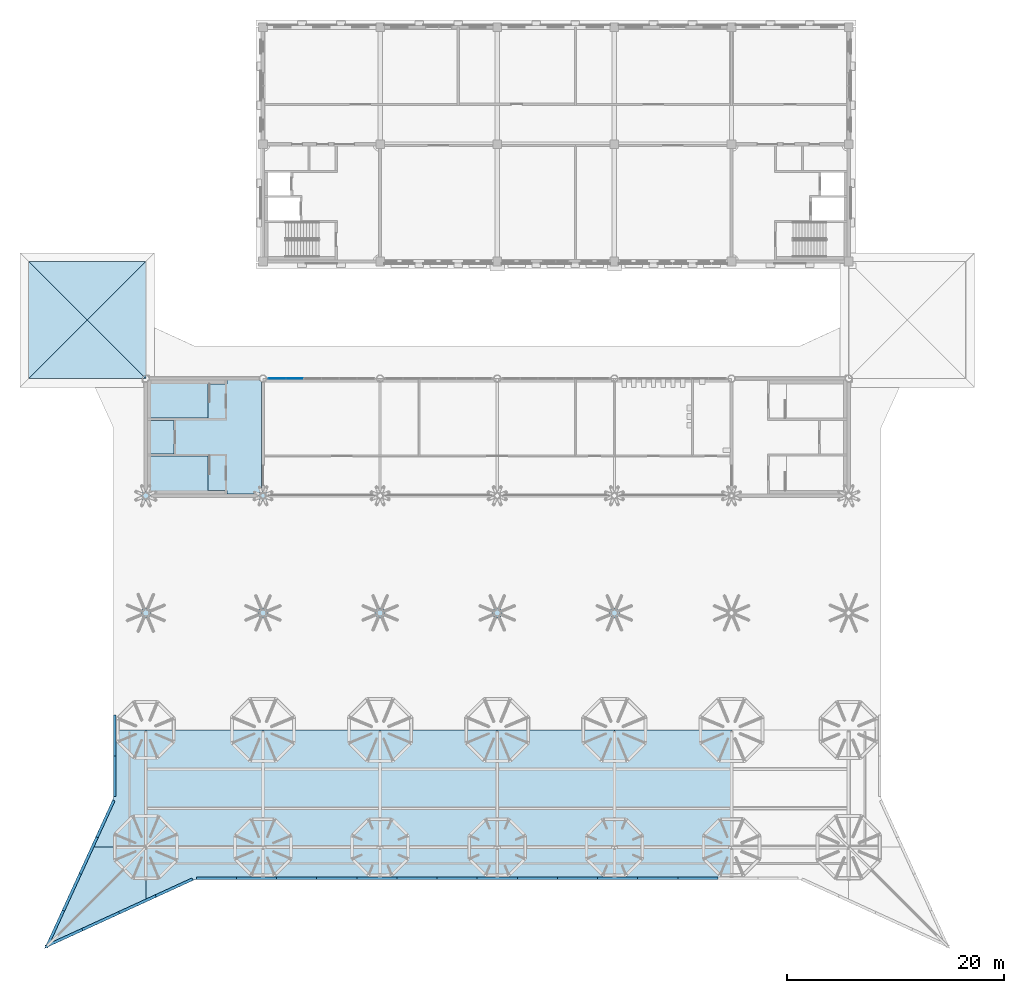
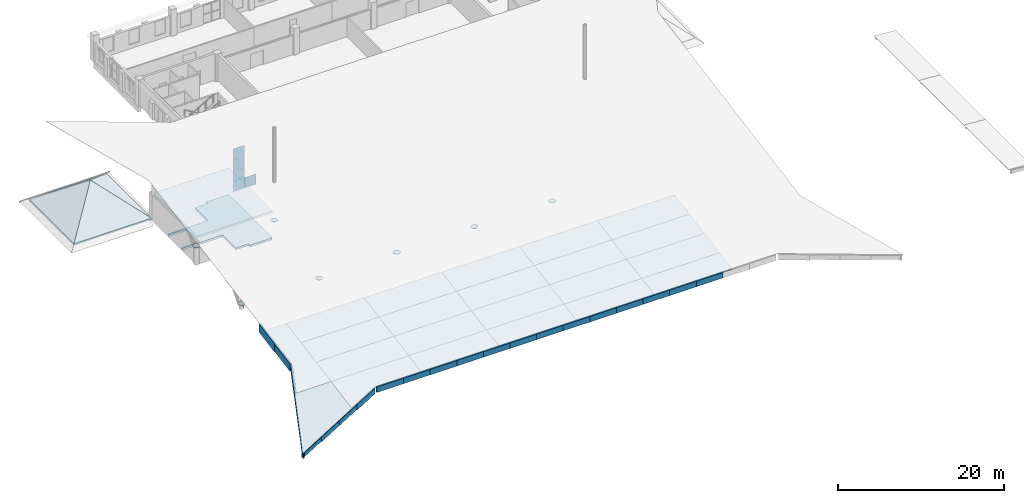
# One storey, part 29 of 56: 35 plates, 28 slabs, 1 element without a shape of its own.
"""IFC4 building model written with IfcOpenShell, lengths in metres."""

from ifc_helpers import new_model, si_unit, direction, frame, origin, origin_2d, place, context, subcontext, project, spatial, polyline, rectangle, circle, outline, extrude, material, layer, layer_set, material_profile, profile_set, type_object, element, aggregate, save


model = new_model("IFC4")

# Units and contexts
model_context = context("Model", 3, precision=1e-05, world=origin(), true_north=direction((0.0, 1.0)))
body_context = subcontext(model_context, "Body", "Model", "MODEL_VIEW")
ifc_project = project(units=[si_unit("LENGTHUNIT", "METRE"), si_unit("AREAUNIT", "SQUARE_METRE"), si_unit("VOLUMEUNIT", "CUBIC_METRE"), si_unit("PLANEANGLEUNIT", "RADIAN"), si_unit("MASSUNIT", "GRAM", prefix="KILO")], contexts=[model_context])

# Site, building, storey
site_placement = place(None, origin())
site = spatial("IfcSite", under=ifc_project, at=site_placement, CompositionType="ELEMENT")
building_placement = place(site_placement, origin())
building = spatial("IfcBuilding", under=site, at=building_placement, Name="Magnolia Steps Interchange", CompositionType="ELEMENT")
storey_placement = place(building_placement, frame((0.0, 0.0, 8.699951171875)))
storey = spatial("IfcBuildingStorey", under=building, at=storey_placement, Name="L02", CompositionType="ELEMENT", Elevation=8.699951171875)

# Slabs
ifc_material_1 = material(Name="Concrete C30", Category="concrete")
ifc_layer_1 = layer(ifc_material_1, 0.10009765625)
ifc_layer_set_1 = layer_set([ifc_layer_1], Name="Composite roof deck 100")
slab_type_1 = type_object("IfcSlabType", Name="Composite roof deck 100", PredefinedType="ROOF", material=ifc_layer_set_1)
slab_1_placement = place(storey_placement, frame((53.199951171875, 37.339599609375, 1.423095703125), z_axis=(4.539669e-06, -0.179958437245, 0.983674214791), x_axis=(-2e-11, 0.983674214801, 0.179958437247)))
element("IfcSlab", 1, at=slab_1_placement, inside=storey, type_object=slab_type_1, Name="Composite roof deck panel", PredefinedType="ROOF", context=body_context, shape_type="SweptSolid", body=[
    extrude(outline(polyline([(0.0, 0.0), (5.144291466, 0.0), (5.144291466, 5.060302734), (-4.344350677, 9.333740235), (0.0, 0.0)])), origin(), (-0.179958437247, -4.465551e-06, -0.983674214791), 0.1015625),
])
slab_2_placement = place(storey_placement, frame((48.1396484375, 42.39990234375, 2.348876953125), z_axis=(1.220577e-05, -0.179940355729, 0.983677522479), x_axis=(0.999999999926, 2.196311e-06, -1.2006541e-05)))
element("IfcSlab", 2, at=slab_2_placement, inside=storey, type_object=slab_type_1, Name="Composite roof deck panel", PredefinedType="ROOF", context=body_context, shape_type="SweptSolid", body=[
    extrude(outline(polyline([(0.0, 0.0), (5.060302734, 0.0), (5.060302734, 10.979252911), (2.060302735, 10.979252911), (2.060302733, 4.574683344), (0.0, 0.0)])), origin(), (1.2006541e-05, -0.179940355743, -0.983677522479), 0.1015625),
])
slab_3_placement = place(storey_placement, frame((64.0, 39.39990234375, 1.800048828125), z_axis=(-1.424793e-06, -0.179958171072, 0.983674263495), x_axis=(-3e-12, 0.983674263496, 0.179958171072)))
element("IfcSlab", 3, at=slab_3_placement, inside=storey, type_object=slab_type_1, Name="Composite roof deck panel", PredefinedType="ROOF", context=body_context, shape_type="SweptSolid", body=[
    extrude(outline(polyline([(0.0, 0.0), (3.049788896, 0.0), (3.049788896, 10.800048828), (-2.09450257, 10.800048828), (0.0, 6.300048828), (0.0, 0.0)])), origin(), (-0.179958171072, 1.401533e-06, -0.983674263495), 0.1015625),
])
slab_4_placement = place(storey_placement, frame((64.0, 42.39990234375, 2.348876953125), z_axis=(0.0, -0.179912650592, 0.983682590146), x_axis=(0.0, 0.983682590146, 0.179912650592)))
element("IfcSlab", 4, at=slab_4_placement, inside=storey, type_object=slab_type_1, Name="Composite roof deck panel", PredefinedType="ROOF", context=body_context, shape_type="SweptSolid", body=[
    extrude(outline(polyline([(0.0, 0.0), (3.65981638, 0.0), (3.65981638, 10.800048828), (0.0, 10.800048828), (0.0, 0.0)])), origin(), (-0.179912650592, 0.0, -0.983682590146), 0.1015625),
])
slab_5_placement = place(storey_placement, frame((64.0, 46.0, 3.00732421875), z_axis=(0.0, -0.179977198609, 0.983670782315), x_axis=(0.0, 0.983670782315, 0.179977198609)))
element("IfcSlab", 5, at=slab_5_placement, inside=storey, type_object=slab_type_1, Name="Composite roof deck panel", PredefinedType="ROOF", context=body_context, shape_type="SweptSolid", body=[
    extrude(outline(polyline([(0.0, 0.0), (3.659860312, 0.0), (3.659860312, 10.800048828), (0.0, 10.800048828), (0.0, 0.0)])), origin(), (-0.179977198609, 0.0, -0.983670782315), 0.1015625),
])
slab_6_placement = place(storey_placement, frame((64.0, 49.60009765625, 3.666015625), z_axis=(0.0, -0.179924457208, 0.983680430678), x_axis=(0.0, 0.983680430678, 0.179924457208)))
element("IfcSlab", 6, at=slab_6_placement, inside=storey, type_object=slab_type_1, Name="Composite roof deck panel", PredefinedType="ROOF", context=body_context, shape_type="SweptSolid", body=[
    extrude(outline(polyline([(0.0, 0.0), (3.659576223, 0.0), (3.659576223, 10.800048828), (0.0, 10.800048828), (0.0, 0.0)])), origin(), (-0.179924457208, 0.0, -0.983680430678), 0.1015625),
])
slab_7_placement = place(storey_placement, frame((74.800048828125, 39.39990234375, 1.800048828125), z_axis=(0.0, -0.179956103093, 0.98367464182), x_axis=(0.0, 0.98367464182, 0.179956103093)))
element("IfcSlab", 7, at=slab_7_placement, inside=storey, type_object=slab_type_1, Name="Composite roof deck panel", PredefinedType="ROOF", context=body_context, shape_type="SweptSolid", body=[
    extrude(outline(polyline([(0.0, 0.0), (3.049788896, 0.0), (3.049788896, 10.800048828), (0.0, 10.800048828), (0.0, 0.0)])), origin(), (-0.179956103093, 0.0, -0.98367464182), 0.1015625),
])
slab_8_placement = place(storey_placement, frame((74.800048828125, 42.39990234375, 2.348876953125), z_axis=(0.0, -0.179912650592, 0.983682590146), x_axis=(0.0, 0.983682590146, 0.179912650592)))
element("IfcSlab", 8, at=slab_8_placement, inside=storey, type_object=slab_type_1, Name="Composite roof deck panel", PredefinedType="ROOF", context=body_context, shape_type="SweptSolid", body=[
    extrude(outline(polyline([(0.0, 0.0), (3.65981638, 0.0), (3.65981638, 10.800048828), (0.0, 10.800048828), (0.0, 0.0)])), origin(), (-0.179912650592, 0.0, -0.983682590146), 0.1015625),
])
slab_9_placement = place(storey_placement, frame((74.800048828125, 46.0, 3.00732421875), z_axis=(0.0, -0.179977198609, 0.983670782315), x_axis=(0.0, 0.983670782315, 0.179977198609)))
element("IfcSlab", 9, at=slab_9_placement, inside=storey, type_object=slab_type_1, Name="Composite roof deck panel", PredefinedType="ROOF", context=body_context, shape_type="SweptSolid", body=[
    extrude(outline(polyline([(0.0, 0.0), (3.659860312, 0.0), (3.659860312, 10.800048828), (0.0, 10.800048828), (0.0, 0.0)])), origin(), (-0.179977198609, 0.0, -0.983670782315), 0.1015625),
])
slab_10_placement = place(storey_placement, frame((74.800048828125, 49.60009765625, 3.666015625), z_axis=(0.0, -0.179924457208, 0.983680430678), x_axis=(0.0, 0.983680430678, 0.179924457208)))
element("IfcSlab", 10, at=slab_10_placement, inside=storey, type_object=slab_type_1, Name="Composite roof deck panel", PredefinedType="ROOF", context=body_context, shape_type="SweptSolid", body=[
    extrude(outline(polyline([(0.0, 0.0), (3.659576223, 0.0), (3.659576223, 10.800048828), (0.0, 10.800048828), (0.0, 0.0)])), origin(), (-0.179924457208, 0.0, -0.983680430678), 0.1015625),
])
slab_11_placement = place(storey_placement, frame((85.60009765625, 39.39990234375, 1.800048828125), z_axis=(0.0, -0.179956103093, 0.98367464182), x_axis=(0.0, 0.98367464182, 0.179956103093)))
element("IfcSlab", 11, at=slab_11_placement, inside=storey, type_object=slab_type_1, Name="Composite roof deck panel", PredefinedType="ROOF", context=body_context, shape_type="SweptSolid", body=[
    extrude(outline(polyline([(0.0, 0.0), (3.049788896, 0.0), (3.049788896, 10.800048828), (0.0, 10.800048828), (0.0, 0.0)])), origin(), (-0.179956103093, 0.0, -0.98367464182), 0.1015625),
])
slab_12_placement = place(storey_placement, frame((85.60009765625, 42.39990234375, 2.348876953125), z_axis=(0.0, -0.179912650592, 0.983682590146), x_axis=(0.0, 0.983682590146, 0.179912650592)))
element("IfcSlab", 12, at=slab_12_placement, inside=storey, type_object=slab_type_1, Name="Composite roof deck panel", PredefinedType="ROOF", context=body_context, shape_type="SweptSolid", body=[
    extrude(outline(polyline([(0.0, 0.0), (3.65981638, 0.0), (3.65981638, 10.800048828), (0.0, 10.800048828), (0.0, 0.0)])), origin(), (-0.179912650592, 0.0, -0.983682590146), 0.1015625),
])
slab_13_placement = place(storey_placement, frame((85.60009765625, 46.0, 3.00732421875), z_axis=(0.0, -0.179977198609, 0.983670782315), x_axis=(0.0, 0.983670782315, 0.179977198609)))
element("IfcSlab", 13, at=slab_13_placement, inside=storey, type_object=slab_type_1, Name="Composite roof deck panel", PredefinedType="ROOF", context=body_context, shape_type="SweptSolid", body=[
    extrude(outline(polyline([(0.0, 0.0), (3.659860312, 0.0), (3.659860312, 10.800048828), (0.0, 10.800048828), (0.0, 0.0)])), origin(), (-0.179977198609, 0.0, -0.983670782315), 0.1015625),
])
slab_14_placement = place(storey_placement, frame((85.60009765625, 49.60009765625, 3.666015625), z_axis=(0.0, -0.179924457208, 0.983680430678), x_axis=(0.0, 0.983680430678, 0.179924457208)))
element("IfcSlab", 14, at=slab_14_placement, inside=storey, type_object=slab_type_1, Name="Composite roof deck panel", PredefinedType="ROOF", context=body_context, shape_type="SweptSolid", body=[
    extrude(outline(polyline([(0.0, 0.0), (3.659576223, 0.0), (3.659576223, 10.800048828), (0.0, 10.800048828), (0.0, 0.0)])), origin(), (-0.179924457208, 0.0, -0.983680430678), 0.1015625),
])
slab_15_placement = place(storey_placement, frame((96.39990234375, 39.39990234375, 1.800048828125), z_axis=(0.0, -0.179956103093, 0.98367464182), x_axis=(0.0, 0.98367464182, 0.179956103093)))
element("IfcSlab", 15, at=slab_15_placement, inside=storey, type_object=slab_type_1, Name="Composite roof deck panel", PredefinedType="ROOF", context=body_context, shape_type="SweptSolid", body=[
    extrude(outline(polyline([(0.0, 0.0), (3.049788896, 0.0), (3.049788896, 10.799804688), (0.0, 10.799804688), (0.0, 0.0)])), origin(), (-0.179956103093, 0.0, -0.98367464182), 0.1015625),
])
slab_16_placement = place(storey_placement, frame((96.39990234375, 42.39990234375, 2.348876953125), z_axis=(0.0, -0.179912650592, 0.983682590146), x_axis=(0.0, 0.983682590146, 0.179912650592)))
element("IfcSlab", 16, at=slab_16_placement, inside=storey, type_object=slab_type_1, Name="Composite roof deck panel", PredefinedType="ROOF", context=body_context, shape_type="SweptSolid", body=[
    extrude(outline(polyline([(0.0, 0.0), (3.65981638, 0.0), (3.65981638, 10.799804688), (0.0, 10.799804688), (0.0, 0.0)])), origin(), (-0.179912650592, 0.0, -0.983682590146), 0.1015625),
])
slab_17_placement = place(storey_placement, frame((96.39990234375, 46.0, 3.00732421875), z_axis=(0.0, -0.179977198609, 0.983670782315), x_axis=(0.0, 0.983670782315, 0.179977198609)))
element("IfcSlab", 17, at=slab_17_placement, inside=storey, type_object=slab_type_1, Name="Composite roof deck panel", PredefinedType="ROOF", context=body_context, shape_type="SweptSolid", body=[
    extrude(outline(polyline([(0.0, 0.0), (3.659860312, 0.0), (3.659860312, 10.799804688), (0.0, 10.799804688), (0.0, 0.0)])), origin(), (-0.179977198609, 0.0, -0.983670782315), 0.1015625),
])
slab_18_placement = place(storey_placement, frame((96.39990234375, 49.60009765625, 3.666015625), z_axis=(0.0, -0.179924457208, 0.983680430678), x_axis=(0.0, 0.983680430678, 0.179924457208)))
element("IfcSlab", 18, at=slab_18_placement, inside=storey, type_object=slab_type_1, Name="Composite roof deck panel", PredefinedType="ROOF", context=body_context, shape_type="SweptSolid", body=[
    extrude(outline(polyline([(0.0, 0.0), (3.659576223, 0.0), (3.659576223, 10.799804688), (0.0, 10.799804688), (0.0, 0.0)])), origin(), (-0.179924457208, 0.0, -0.983680430678), 0.1015625),
])
slab_19_placement = place(storey_placement, frame((107.199951171875, 39.39990234375, 1.800048828125), z_axis=(0.0, -0.179956103093, 0.98367464182), x_axis=(0.0, 0.98367464182, 0.179956103093)))
element("IfcSlab", 19, at=slab_19_placement, inside=storey, type_object=slab_type_1, Name="Composite roof deck panel", PredefinedType="ROOF", context=body_context, shape_type="SweptSolid", body=[
    extrude(outline(polyline([(0.0, 0.0), (3.049788896, 0.0), (3.049788896, 10.800048828), (0.0, 10.800048828), (0.0, 0.0)])), origin(), (-0.179956103093, 0.0, -0.98367464182), 0.1015625),
])
slab_20_placement = place(storey_placement, frame((107.199951171875, 42.39990234375, 2.348876953125), z_axis=(0.0, -0.179912650592, 0.983682590146), x_axis=(0.0, 0.983682590146, 0.179912650592)))
element("IfcSlab", 20, at=slab_20_placement, inside=storey, type_object=slab_type_1, Name="Composite roof deck panel", PredefinedType="ROOF", context=body_context, shape_type="SweptSolid", body=[
    extrude(outline(polyline([(0.0, 0.0), (3.65981638, 0.0), (3.65981638, 10.800048828), (0.0, 10.800048828), (0.0, 0.0)])), origin(), (-0.179912650592, 0.0, -0.983682590146), 0.1015625),
])
slab_21_placement = place(storey_placement, frame((107.199951171875, 46.0, 3.00732421875), z_axis=(0.0, -0.179977198609, 0.983670782315), x_axis=(0.0, 0.983670782315, 0.179977198609)))
element("IfcSlab", 21, at=slab_21_placement, inside=storey, type_object=slab_type_1, Name="Composite roof deck panel", PredefinedType="ROOF", context=body_context, shape_type="SweptSolid", body=[
    extrude(outline(polyline([(0.0, 0.0), (3.659860312, 0.0), (3.659860312, 10.800048828), (0.0, 10.800048828), (0.0, 0.0)])), origin(), (-0.179977198609, 0.0, -0.983670782315), 0.1015625),
])
slab_22_placement = place(storey_placement, frame((107.199951171875, 49.60009765625, 3.666015625), z_axis=(0.0, -0.179924457208, 0.983680430678), x_axis=(0.0, 0.983680430678, 0.179924457208)))
element("IfcSlab", 22, at=slab_22_placement, inside=storey, type_object=slab_type_1, Name="Composite roof deck panel", PredefinedType="ROOF", context=body_context, shape_type="SweptSolid", body=[
    extrude(outline(polyline([(0.0, 0.0), (3.659576223, 0.0), (3.659576223, 10.800048828), (0.0, 10.800048828), (0.0, 0.0)])), origin(), (-0.179924457208, 0.0, -0.983680430678), 0.1015625),
])
ifc_material_2 = material(Name="Concrete C35", Category="concrete")
ifc_layer_2 = layer(ifc_material_2, 0.300048828125)
ifc_layer_set_2 = layer_set([ifc_layer_2], Name="Core floor slab 300")
slab_type_2 = type_object("IfcSlabType", Name="Core floor slab 300", PredefinedType="FLOOR", material=ifc_layer_set_2)
slab_23_placement = place(storey_placement, frame((0.0, 0.0, -0.300048828125)))
element("IfcSlab", 23, at=slab_23_placement, inside=storey, type_object=slab_type_2, Name="L02 core floor HC1", PredefinedType="FLOOR", context=body_context, shape_type="SweptSolid", body=[
    extrude(outline(polyline([(60.699951171875, 75.300048828125), (58.949951171875, 75.300048828125), (58.949951171875, 78.449951171875), (53.35009765625, 78.449951171875), (53.35009765625, 78.64990234375), (55.800048828125, 78.64990234375), (55.800048828125, 81.75), (53.35009765625, 81.75), (53.35009765625, 81.949951171875), (58.949951171875, 81.949951171875), (58.949951171875, 85.10009765625), (60.699951171875, 85.10009765625), (60.699951171875, 85.449951171875), (63.706298828125, 85.449951171875), (63.708984375, 85.4443359375), (63.7255859375, 85.416748046875), (63.744873046875, 85.390625), (63.7666015625, 85.36669921875), (63.790771484375, 85.344970703125), (63.816650390625, 85.32568359375), (63.844482421875, 85.30908203125), (63.85009765625, 85.306396484375), (63.85009765625, 75.065185546875), (63.83056640625, 75.0537109375), (63.806396484375, 75.035888671875), (63.784423828125, 75.015625), (63.76416015625, 74.993408203125), (63.746337890625, 74.969482421875), (63.73486328125, 74.949951171875), (60.699951171875, 74.949951171875), (60.699951171875, 75.300048828125)])), origin(), (0.0, 0.0, 1.0), 0.300048828125),
])
ifc_material_3 = material(Name="Concrete C35", Category="concrete")
ifc_layer_3 = layer(ifc_material_3, 0.300048828125)
ifc_layer_set_3 = layer_set([ifc_layer_3], Name="Core roof slab")
slab_type_3 = type_object("IfcSlabType", Name="Core roof slab", PredefinedType="ROOF", material=ifc_layer_set_3)
slab_24_placement = place(storey_placement, frame((0.0, 0.0, 3.60009765625)))
element("IfcSlab", 24, at=slab_24_placement, inside=storey, type_object=slab_type_3, Name="HC1 core roof", PredefinedType="ROOF", context=body_context, shape_type="SweptSolid", body=[
    extrude(outline(polyline([(53.35009765625, 74.949951171875), (53.35009765625, 85.306396484375), (53.35546875, 85.30908203125), (53.38330078125, 85.32568359375), (53.409423828125, 85.344970703125), (53.433349609375, 85.36669921875), (53.455078125, 85.390625), (53.474365234375, 85.416748046875), (53.490966796875, 85.4443359375), (53.49365234375, 85.449951171875), (63.706298828125, 85.449951171875), (63.708984375, 85.4443359375), (63.7255859375, 85.416748046875), (63.744873046875, 85.390625), (63.7666015625, 85.36669921875), (63.790771484375, 85.344970703125), (63.816650390625, 85.32568359375), (63.844482421875, 85.30908203125), (63.85009765625, 85.306396484375), (63.85009765625, 74.949951171875), (53.35009765625, 74.949951171875)])), origin(), (0.0, 0.0, 1.0), 0.300048828125),
])

# Plates
ifc_material_4 = material(Name="White painted steel", Category="steel")
ifc_layer_4 = layer(ifc_material_4, 0.25)
ifc_layer_set_4 = layer_set([ifc_layer_4], Name="Fascia plate 250")
plate_type_1 = type_object("IfcPlateType", Name="Fascia plate 250", PredefinedType="SHEET", material=ifc_layer_set_4)
plate_1_placement = place(storey_placement, frame((50.1376953125, 46.763671875, 2.04541015625), z_axis=(-0.909355166927, 0.416015742149, 0.002020561243), x_axis=(-0.410682073073, -0.896899713202, -0.164046149953)))
element("IfcPlate", 25, at=plate_1_placement, inside=storey, type_object=plate_type_1, Name="Sloping fascia plate", PredefinedType="SHEET", context=body_context, shape_type="SweptSolid", body=[
    extrude(outline(polyline([(0.0, 0.0), (3.780139365, 0.0), (3.615948011, 0.986430711), (-0.163872121, 0.986483552), (0.0, 0.0)])), origin(), (0.0, 0.0, -1.0), 0.25),
])
plate_2_placement = place(storey_placement, frame((48.585205078125, 43.373291015625, 1.525146484375), z_axis=(-0.909385603485, 0.415948355266, 0.002188590015), x_axis=(-0.410639600465, -0.896915847266, -0.164064260135)))
element("IfcPlate", 26, at=plate_2_placement, inside=storey, type_object=plate_type_1, Name="Sloping fascia plate", PredefinedType="SHEET", context=body_context, shape_type="SweptSolid", body=[
    extrude(outline(polyline([(0.0, 0.0), (3.779719877, 0.0), (3.632033209, 0.887702834), (-0.147826977, 0.887927484), (0.0, 0.0)])), origin(), (0.0, 0.0, -1.0), 0.25),
])
plate_3_placement = place(storey_placement, frame((47.033203125, 39.983154296875, 1.005126953125), z_axis=(-0.909393617728, 0.415930100539, 0.002323682474), x_axis=(-0.410638583066, -0.896907338307, -0.164113316305)))
element("IfcPlate", 27, at=plate_3_placement, inside=storey, type_object=plate_type_1, Name="Sloping fascia plate", PredefinedType="SHEET", context=body_context, shape_type="SweptSolid", body=[
    extrude(outline(polyline([(0.0, 0.0), (3.780079164, 0.0), (3.648735637, 0.789196086), (-0.13130346, 0.788955256), (0.0, 0.0)])), origin(), (0.0, 0.0, -1.0), 0.25),
])
plate_4_placement = place(storey_placement, frame((45.48095703125, 36.5927734375, 0.48486328125), z_axis=(-0.909404465818, 0.415904394606, 0.002655578809), x_axis=(-0.410666655915, -0.896904244108, -0.164059972637)))
element("IfcPlate", 28, at=plate_4_placement, inside=storey, type_object=plate_type_1, Name="Sloping fascia plate", PredefinedType="SHEET", context=body_context, shape_type="SweptSolid", body=[
    extrude(outline(polyline([(0.0, 0.0), (3.779820132, 0.0), (3.664941252, 0.690462123), (-0.114878881, 0.690462123), (0.0, 0.0)])), origin(), (0.0, 0.0, -1.0), 0.25),
])
plate_5_placement = place(storey_placement, frame((44.002685546875, 33.128662109375, -0.048828125), z_axis=(0.416032511496, -0.909343506275, 0.003367042346), x_axis=(0.906617049793, 0.415066284853, 0.075930917306)))
element("IfcPlate", 29, at=plate_5_placement, inside=storey, type_object=plate_type_1, Name="Sloping fascia plate", PredefinedType="SHEET", context=body_context, shape_type="SweptSolid", body=[
    extrude(outline(polyline([(0.0, 0.0), (3.739400256, 0.0), (3.785011537, 0.598364637), (0.045491274, 0.598374869), (0.0, 0.0)])), origin(), (0.0, 0.0, -1.0), 0.25),
])
plate_6_placement = place(storey_placement, frame((47.392822265625, 34.680908203125, 0.13525390625), z_axis=(0.416104748378, -0.909312596563, 0.002727656424), x_axis=(0.906609551637, 0.415095385719, 0.075861331624)))
element("IfcPlate", 30, at=plate_6_placement, inside=storey, type_object=plate_type_1, Name="Sloping fascia plate", PredefinedType="SHEET", context=body_context, shape_type="SweptSolid", body=[
    extrude(outline(polyline([(0.0, 0.0), (3.73960307, 0.0), (3.792544849, 0.698193752), (0.053144599, 0.697933198), (0.0, 0.0)])), origin(), (0.0, 0.0, -1.0), 0.25),
])
plate_7_placement = place(storey_placement, frame((50.783203125, 36.233154296875, 0.4189453125), z_axis=(0.41610458598, -0.909312670877, 0.002727656407), x_axis=(0.906600167716, 0.415091298888, 0.075995720179)))
element("IfcPlate", 31, at=plate_7_placement, inside=storey, type_object=plate_type_1, Name="Sloping fascia plate", PredefinedType="SHEET", context=body_context, shape_type="SweptSolid", body=[
    extrude(outline(polyline([(0.0, 0.0), (3.739418805, 0.0), (3.792657469, 0.697926029), (0.05303588, 0.69818661), (0.0, 0.0)])), origin(), (0.0, 0.0, -1.0), 0.25),
])
plate_8_placement = place(storey_placement, frame((54.17333984375, 37.785400390625, 0.60302734375), z_axis=(0.416128631257, -0.909302625861, 0.002386807626), x_axis=(0.906605021947, 0.415093410576, 0.075926244985)))
element("IfcPlate", 32, at=plate_8_placement, inside=storey, type_object=plate_type_1, Name="Sloping fascia plate", PredefinedType="SHEET", context=body_context, shape_type="SweptSolid", body=[
    extrude(outline(polyline([(0.0, 0.0), (3.739621598, 0.0), (3.800190333, 0.797755243), (0.060790074, 0.797738145), (0.0, 0.0)])), origin(), (0.0, 0.0, -1.0), 0.25),
])
for number, where, z_axis, x_axis, name in (
    (33, (57.85009765625, 39.39990234375, 0.8984375), (0.0, -0.999996226323, 0.00274724238), (1.0, 0.0, 0.0), "Sloping fascia plate"),
    (34, (61.550048828125, 39.39990234375, 0.8984375), (0.0, -0.999996226323, 0.00274724238), (1.0, 0.0, 0.0), "Sloping fascia plate"),
    (35, (65.25, 39.39990234375, 0.8984375), (0.0, -0.999996226323, 0.00274724238), (1.0, 0.0, 0.0), "Sloping fascia plate"),
    (36, (68.949951171875, 39.39990234375, 0.8984375), (0.0, -0.999996226323, 0.00274724238), (1.0, 0.0, 0.0), "Sloping fascia plate"),
):
    element("IfcPlate", number, at=place(storey_placement, frame(where, z_axis=z_axis, x_axis=x_axis)), inside=storey, type_object=plate_type_1, Name=name, PredefinedType="SHEET", context=body_context, shape_type="SweptSolid", body=[
        extrude(outline(polyline([(0.0, 0.0), (3.699951172, 0.0), (3.699951172, 0.799807706), (0.0, 0.799807706), (0.0, 0.0)])), origin(), (0.0, 0.0, -1.0), 0.25),
    ])
plate_9_placement = place(storey_placement, frame((72.64990234375, 39.39990234375, 0.8984375), z_axis=(0.0, -0.999996226323, 0.00274724238), x_axis=(1.0, 0.0, 0.0)))
element("IfcPlate", 37, at=plate_9_placement, inside=storey, type_object=plate_type_1, Name="Sloping fascia plate", PredefinedType="SHEET", context=body_context, shape_type="SweptSolid", body=[
    extrude(outline(polyline([(0.0, 0.0), (3.700195312, 0.0), (3.700195312, 0.799807706), (0.0, 0.799807706), (0.0, 0.0)])), origin(), (0.0, 0.0, -1.0), 0.25),
])
for number, where, z_axis, x_axis, name in (
    (38, (76.35009765625, 39.39990234375, 0.8984375), (0.0, -0.999996226323, 0.00274724238), (1.0, 0.0, 0.0), "Sloping fascia plate"),
    (39, (80.050048828125, 39.39990234375, 0.8984375), (0.0, -0.999996226323, 0.00274724238), (1.0, 0.0, 0.0), "Sloping fascia plate"),
    (40, (83.75, 39.39990234375, 0.8984375), (0.0, -0.999996226323, 0.00274724238), (1.0, 0.0, 0.0), "Sloping fascia plate"),
    (41, (87.449951171875, 39.39990234375, 0.8984375), (0.0, -0.999996226323, 0.00274724238), (1.0, 0.0, 0.0), "Sloping fascia plate"),
):
    element("IfcPlate", number, at=place(storey_placement, frame(where, z_axis=z_axis, x_axis=x_axis)), inside=storey, type_object=plate_type_1, Name=name, PredefinedType="SHEET", context=body_context, shape_type="SweptSolid", body=[
        extrude(outline(polyline([(0.0, 0.0), (3.699951172, 0.0), (3.699951172, 0.799807706), (0.0, 0.799807706), (0.0, 0.0)])), origin(), (0.0, 0.0, -1.0), 0.25),
    ])
plate_10_placement = place(storey_placement, frame((91.14990234375, 39.39990234375, 0.8984375), z_axis=(0.0, -0.999996226323, 0.00274724238), x_axis=(1.0, 0.0, 0.0)))
element("IfcPlate", 42, at=plate_10_placement, inside=storey, type_object=plate_type_1, Name="Sloping fascia plate", PredefinedType="SHEET", context=body_context, shape_type="SweptSolid", body=[
    extrude(outline(polyline([(0.0, 0.0), (3.700195312, 0.0), (3.700195312, 0.799807706), (0.0, 0.799807706), (0.0, 0.0)])), origin(), (0.0, 0.0, -1.0), 0.25),
])
for number, where, z_axis, x_axis, name in (
    (43, (94.85009765625, 39.39990234375, 0.8984375), (0.0, -0.999996226323, 0.00274724238), (1.0, 0.0, 0.0), "Sloping fascia plate"),
    (44, (98.550048828125, 39.39990234375, 0.8984375), (0.0, -0.999996226323, 0.00274724238), (1.0, 0.0, 0.0), "Sloping fascia plate"),
    (45, (102.25, 39.39990234375, 0.8984375), (0.0, -0.999996226323, 0.00274724238), (1.0, 0.0, 0.0), "Sloping fascia plate"),
):
    element("IfcPlate", number, at=place(storey_placement, frame(where, z_axis=z_axis, x_axis=x_axis)), inside=storey, type_object=plate_type_1, Name=name, PredefinedType="SHEET", context=body_context, shape_type="SweptSolid", body=[
        extrude(outline(polyline([(0.0, 0.0), (3.699951172, 0.0), (3.699951172, 0.799807706), (0.0, 0.799807706), (0.0, 0.0)])), origin(), (0.0, 0.0, -1.0), 0.25),
    ])
plate_11_placement = place(storey_placement, frame((50.199951171875, 54.583251953125, 3.27587890625), z_axis=(-0.999998631028, -0.000297723592, 0.001627668169), x_axis=(0.0, -0.983679608713, -0.179928950984)))
element("IfcPlate", 46, at=plate_11_placement, inside=storey, type_object=plate_type_1, Name="Sloping fascia plate", PredefinedType="SHEET", context=body_context, shape_type="SweptSolid", body=[
    extrude(outline(polyline([(0.0, 0.0), (3.829093873, 0.0), (3.613187917, 1.180369115), (-0.215905956, 1.180369115), (0.0, 0.0)])), origin(), (0.0, 0.0, -1.0), 0.25),
])
plate_12_placement = place(storey_placement, frame((50.199951171875, 50.816650390625, 2.686767578125), z_axis=(-0.999998370852, -0.000324840826, 0.001775604698), x_axis=(5.6606e-08, -0.983679608695, -0.179928951085)))
element("IfcPlate", 47, at=plate_12_placement, inside=storey, type_object=plate_type_1, Name="Sloping fascia plate", PredefinedType="SHEET", context=body_context, shape_type="SweptSolid", body=[
    extrude(outline(polyline([(0.0, 0.0), (3.829093873, 0.0), (3.631198383, 1.081905239), (-0.197939417, 1.082145395), (0.0, 0.0)])), origin(), (0.0, 0.0, -1.0), 0.25),
])

# Curtain wall, plates
ifc_material_5 = material(Name="Powder-coated aluminium and glass", Category="aluminium")
ifc_layer_5 = layer(ifc_material_5, 0.1201171875)
ifc_layer_set_5 = layer_set([ifc_layer_5], Name="Hall clerestory curtain wall")
curtain_wall_type = type_object("IfcCurtainWallType", Name="Hall clerestory curtain wall", PredefinedType="NOTDEFINED", material=ifc_layer_set_5)
curtain_wall_placement = place(storey_placement, origin())
curtain_wall = element("IfcCurtainWall", 48, at=curtain_wall_placement, inside=storey, type_object=curtain_wall_type, Name="Hall clerestory N2", PredefinedType="NOTDEFINED")
ifc_material_6 = material(Name="Laminated glass", Category="glass")
ifc_layer_6 = layer(ifc_material_6, 0.028076171875)
ifc_layer_set_6 = layer_set([ifc_layer_6], Name="Glass panel 28")
plate_type_2 = type_object("IfcPlateType", Name="Glass panel 28", PredefinedType="CURTAIN_PANEL", material=ifc_layer_set_6)
plate_13_placement = place(storey_placement, frame((65.31494140625, 85.60009765625, 0.06005859375), z_axis=(0.0, 0.0, 1.0), x_axis=(1.0, 0.0, 0.0)))
plate_13 = element("IfcPlate", 49, at=plate_13_placement, type_object=plate_type_2, Name="CW6 panel 1.1", PredefinedType="CURTAIN_PANEL", context=body_context, shape_type="SweptSolid", body=[
    extrude(rectangle(XDim=1.550048828125, YDim=0.028076171875, at=origin_2d()), origin(), (0.0, 0.0, 1.0), 1.510009765625),
])
plate_14_placement = place(storey_placement, frame((65.31494140625, 85.60009765625, 1.630126953125), z_axis=(0.0, 0.0, 1.0), x_axis=(1.0, 0.0, 0.0)))
plate_14 = element("IfcPlate", 50, at=plate_14_placement, type_object=plate_type_2, Name="CW6 panel 1.2", PredefinedType="CURTAIN_PANEL", context=body_context, shape_type="SweptSolid", body=[
    extrude(rectangle(XDim=1.550048828125, YDim=0.028076171875, at=origin_2d()), origin(), (0.0, 0.0, 1.0), 1.5400390625),
])
plate_15_placement = place(storey_placement, frame((65.31494140625, 85.60009765625, 3.22998046875), z_axis=(0.0, 0.0, 1.0), x_axis=(1.0, 0.0, 0.0)))
plate_15 = element("IfcPlate", 51, at=plate_15_placement, type_object=plate_type_2, Name="CW6 panel 1.3", PredefinedType="CURTAIN_PANEL", context=body_context, shape_type="SweptSolid", body=[
    extrude(rectangle(XDim=1.550048828125, YDim=0.028076171875, at=origin_2d()), origin(), (0.0, 0.0, 1.0), 1.5400390625),
])
plate_16_placement = place(storey_placement, frame((65.31494140625, 85.60009765625, 4.830078125), z_axis=(0.0, 0.0, 1.0), x_axis=(1.0, 0.0, 0.0)))
plate_16 = element("IfcPlate", 52, at=plate_16_placement, type_object=plate_type_2, Name="CW6 panel 1.4", PredefinedType="CURTAIN_PANEL", context=body_context, shape_type="SweptSolid", body=[
    extrude(rectangle(XDim=1.550048828125, YDim=0.028076171875, at=origin_2d()), origin(), (0.0, 0.0, 1.0), 1.510009765625),
])
plate_17_placement = place(storey_placement, frame((66.93994140625, 85.60009765625, 0.06005859375), z_axis=(0.0, 0.0, 1.0), x_axis=(1.0, 0.0, 0.0)))
plate_17 = element("IfcPlate", 53, at=plate_17_placement, type_object=plate_type_2, Name="CW6 panel 2.1", PredefinedType="CURTAIN_PANEL", context=body_context, shape_type="SweptSolid", body=[
    extrude(rectangle(XDim=1.580078125, YDim=0.028076171875, at=origin_2d()), origin(), (0.0, 0.0, 1.0), 1.510009765625),
])
aggregate(curtain_wall, [plate_13, plate_14, plate_15, plate_16, plate_17])

# Slabs
ifc_material_7 = material(Name="Concrete C40", Category="concrete")
ifc_layer_7 = layer(ifc_material_7, 0.14990234375)
ifc_layer_set_7 = layer_set([ifc_layer_7], Name="Pavilion roof slab 150")
slab_type_4 = type_object("IfcSlabType", Name="Pavilion roof slab 150", PredefinedType="ROOF", material=ifc_layer_set_7)
slab_25_placement = place(storey_placement, frame((53.199951171875, 85.60009765625, 0.1181640625), z_axis=(0.6156730791, 0.0, 0.788001687607), x_axis=(0.0, 1.0, 0.0)))
element("IfcSlab", 54, at=slab_25_placement, inside=storey, type_object=slab_type_4, Name="Pavilion roof slab WC-W 1", PredefinedType="ROOF", context=body_context, shape_type="SweptSolid", body=[
    extrude(outline(polyline([(0.0, 0.0), (10.799804688, 0.0), (5.399902344, 6.852653273), (0.0, 0.0)])), origin(), (0.0, -0.6156730791, -0.788001687607), 0.1904296875),
])
slab_26_placement = place(storey_placement, frame((42.39990234375, 96.39990234375, 0.1181640625), z_axis=(-0.615655794866, 0.0, 0.788015191635), x_axis=(0.0, -1.0, 0.0)))
element("IfcSlab", 55, at=slab_26_placement, inside=storey, type_object=slab_type_4, Name="Pavilion roof slab WC-W 2", PredefinedType="ROOF", context=body_context, shape_type="SweptSolid", body=[
    extrude(outline(polyline([(0.0, 0.0), (10.799804688, 0.0), (5.399902344, 6.852845658), (0.0, 0.0)])), origin(), (0.0, -0.615655794866, -0.788015191635), 0.1904296875),
])
slab_27_placement = place(storey_placement, frame((42.39990234375, 85.60009765625, 0.1181640625), z_axis=(0.0, -0.6156730791, 0.788001687607), x_axis=(1.0, 0.0, 0.0)))
element("IfcSlab", 56, at=slab_27_placement, inside=storey, type_object=slab_type_4, Name="Pavilion roof slab WC-W 3", PredefinedType="ROOF", context=body_context, shape_type="SweptSolid", body=[
    extrude(outline(polyline([(0.0, 0.0), (10.800048828, 0.0), (5.400146484, 6.852653273), (0.0, 0.0)])), origin(), (0.0, -0.6156730791, -0.788001687607), 0.1904296875),
])
slab_28_placement = place(storey_placement, frame((53.199951171875, 96.39990234375, 0.1181640625), z_axis=(0.0, 0.6156730791, 0.788001687607), x_axis=(-1.0, 0.0, 0.0)))
element("IfcSlab", 57, at=slab_28_placement, inside=storey, type_object=slab_type_4, Name="Pavilion roof slab WC-W 4", PredefinedType="ROOF", context=body_context, shape_type="SweptSolid", body=[
    extrude(outline(polyline([(0.0, 0.0), (10.800048828, 0.0), (5.399902344, 6.852653273), (0.0, 0.0)])), origin(), (0.0, -0.6156730791, -0.788001687607), 0.1904296875),
])

# Plates
ifc_material_8 = material(Name="Steel Q355B", Category="steel")
ifc_material_profile = material_profile(ifc_material_8, circle(Radius=0.449951171875, at=origin_2d()), Name="Tree head plate 900 x 30")
ifc_profile_set = profile_set([ifc_material_profile], Name="Steel Q355B")
plate_type_3 = type_object("IfcPlateType", Name="Tree head plate 900 x 30", PredefinedType="SHEET", material=ifc_profile_set)
for number, where, z_axis, x_axis, name in (
    (58, (53.199951171875, 64.0, 0.64013671875), (0.0, 0.0, 1.0), (1.0, 0.0, 0.0), "Tree head plate TH01C"),
    (59, (53.199951171875, 74.800048828125, 2.61572265625), (0.0, 0.0, 1.0), (1.0, 0.0, 0.0), "Tree head plate TH01D"),
    (60, (64.0, 64.0, 0.64013671875), (0.0, 0.0, 1.0), (1.0, 0.0, 0.0), "Tree head plate TH02C"),
    (61, (64.0, 74.800048828125, 2.61572265625), (0.0, 0.0, 1.0), (1.0, 0.0, 0.0), "Tree head plate TH02D"),
    (62, (74.800048828125, 64.0, 0.64013671875), (0.0, 0.0, 1.0), (1.0, 0.0, 0.0), "Tree head plate TH03C"),
    (63, (85.60009765625, 64.0, 0.64013671875), (0.0, 0.0, 1.0), (1.0, 0.0, 0.0), "Tree head plate TH04C"),
    (64, (96.39990234375, 64.0, 0.64013671875), (0.0, 0.0, 1.0), (1.0, 0.0, 0.0), "Tree head plate TH05C"),
):
    element("IfcPlate", number, at=place(storey_placement, frame(where, z_axis=z_axis, x_axis=x_axis)), inside=storey, type_object=plate_type_3, Name=name, PredefinedType="SHEET", context=body_context, shape_type="SweptSolid", body=[
        extrude(circle(Radius=0.449951171875, at=origin_2d()), origin(), (0.0, 0.0, 1.0), 0.030029296875),
    ])

save(model, "model.ifc")
